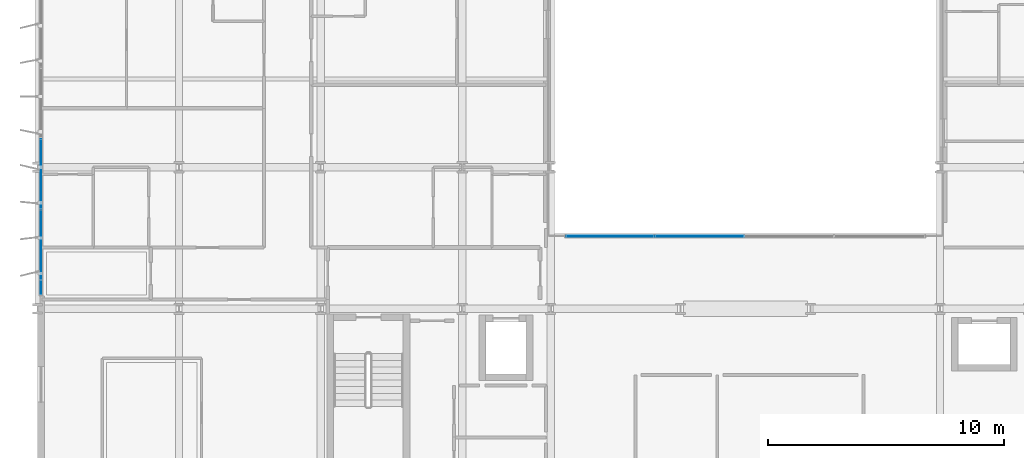
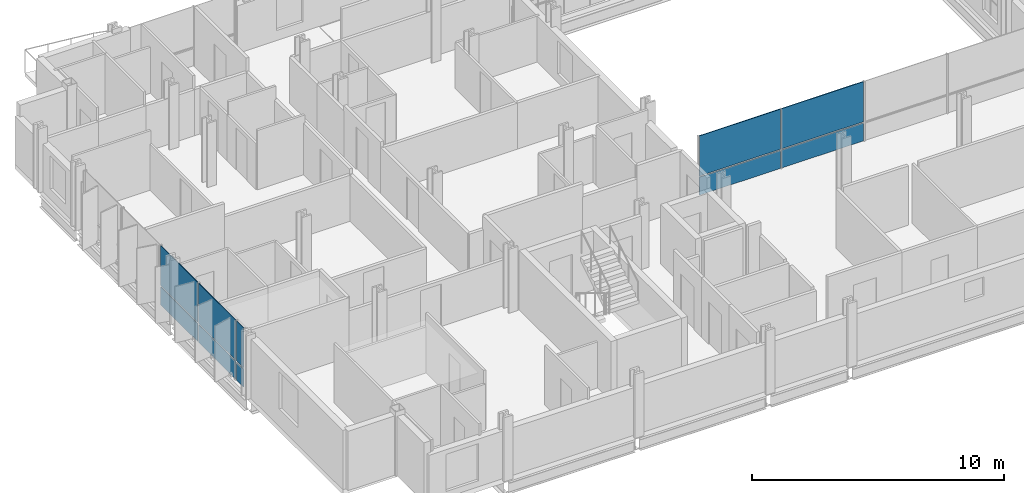
# One storey, part 22 of 38: 10 plates, 2 elements without a shape of their own.
"""IFC4 building model written with IfcOpenShell, lengths in metres."""

from ifc_helpers import new_model, si_unit, direction, frame, origin, origin_2d, place, context, subcontext, project, spatial, rectangle, extrude, material, layer, layer_set, type_object, element, aggregate, save


model = new_model("IFC4")

# Units and contexts
model_context = context("Model", 3, precision=1e-05, world=origin(), true_north=direction((0.0, 1.0)))
body_context = subcontext(model_context, "Body", "Model", "MODEL_VIEW")
ifc_project = project(units=[si_unit("LENGTHUNIT", "METRE"), si_unit("AREAUNIT", "SQUARE_METRE"), si_unit("VOLUMEUNIT", "CUBIC_METRE"), si_unit("PLANEANGLEUNIT", "RADIAN"), si_unit("MASSUNIT", "GRAM", prefix="KILO")], contexts=[model_context])

# Site, building, storey
site_placement = place(None, origin())
site = spatial("IfcSite", under=ifc_project, at=site_placement, CompositionType="ELEMENT")
building_placement = place(site_placement, origin())
building = spatial("IfcBuilding", under=site, at=building_placement, Name="Brevholm Reach", CompositionType="ELEMENT")
storey_placement = place(building_placement, frame((0.0, 0.0, 52.800048828125)))
storey = spatial("IfcBuildingStorey", under=building, at=storey_placement, Name="L14", CompositionType="ELEMENT", Elevation=52.800048828125)

# Curtain wall, plates
ifc_material_1 = material(Name="Dark Anodised Aluminium 6063-T6 and Solar-Control Glass", Category="aluminium")
ifc_layer_1 = layer(ifc_material_1, 0.14990234375)
ifc_layer_set_1 = layer_set([ifc_layer_1], Name="Dark Anodised Aluminium 6063-T6 and Solar-Control Glass")
curtain_wall_type_1 = type_object("IfcCurtainWallType", Name="CW-01", PredefinedType="NOTDEFINED", material=ifc_layer_set_1)
curtain_wall_1_placement = place(storey_placement, origin())
curtain_wall_1 = element("IfcCurtainWall", 1, at=curtain_wall_1_placement, inside=storey, type_object=curtain_wall_type_1, Name="L14 Curtain Wall CW-01", PredefinedType="NOTDEFINED")
ifc_material_2 = material(Name="Dark Solar-Control Double-Glazed IGU Glass", Category="glass")
ifc_layer_2 = layer(ifc_material_2, 0.028076171875)
ifc_layer_set_2 = layer_set([ifc_layer_2], Name="Dark Solar-Control Double-Glazed IGU Glass")
plate_type_1 = type_object("IfcPlateType", Name="CWP-GLZ-28", PredefinedType="CURTAIN_PANEL", material=ifc_layer_set_2)
plate_1_placement = place(storey_placement, frame((0.14990234375, 15.719970703125, 0.0), z_axis=(0.0, 0.0, 1.0), x_axis=(0.0, -1.0, 0.0)))
plate_1 = element("IfcPlate", 2, at=plate_1_placement, type_object=plate_type_1, Name="CP-01 Glazing Panel 3.1", PredefinedType="CURTAIN_PANEL", context=body_context, shape_type="SweptSolid", body=[
    extrude(rectangle(XDim=2.93505859375, YDim=0.028076171875, at=origin_2d()), origin(), (0.0, 0.0, 1.0), 0.867431640625),
])
plate_2_placement = place(storey_placement, frame((0.14990234375, 15.719970703125, 0.932373046875), z_axis=(0.0, 0.0, 1.0), x_axis=(0.0, -1.0, 0.0)))
plate_2 = element("IfcPlate", 3, at=plate_2_placement, type_object=plate_type_1, Name="CP-01 Glazing Panel 3.2", PredefinedType="CURTAIN_PANEL", context=body_context, shape_type="SweptSolid", body=[
    extrude(rectangle(XDim=2.93505859375, YDim=0.028076171875, at=origin_2d()), origin(), (0.0, 0.0, 1.0), 1.9375),
])
plate_3_placement = place(storey_placement, frame((0.14990234375, 12.719970703125, 0.0), z_axis=(0.0, 0.0, 1.0), x_axis=(0.0, -1.0, 0.0)))
plate_3 = element("IfcPlate", 4, at=plate_3_placement, type_object=plate_type_1, Name="CP-01 Glazing Panel 4.1", PredefinedType="CURTAIN_PANEL", context=body_context, shape_type="SweptSolid", body=[
    extrude(rectangle(XDim=2.93505859375, YDim=0.028076171875, at=origin_2d()), origin(), (0.0, 0.0, 1.0), 0.867431640625),
])
plate_4_placement = place(storey_placement, frame((0.14990234375, 12.719970703125, 0.932373046875), z_axis=(0.0, 0.0, 1.0), x_axis=(0.0, -1.0, 0.0)))
plate_4 = element("IfcPlate", 5, at=plate_4_placement, type_object=plate_type_1, Name="CP-01 Glazing Panel 4.2", PredefinedType="CURTAIN_PANEL", context=body_context, shape_type="SweptSolid", body=[
    extrude(rectangle(XDim=2.93505859375, YDim=0.028076171875, at=origin_2d()), origin(), (0.0, 0.0, 1.0), 1.9375),
])
plate_5_placement = place(storey_placement, frame((0.14990234375, 10.9013671875, 0.0), z_axis=(0.0, 0.0, 1.0), x_axis=(0.0, -1.0, 0.0)))
plate_5 = element("IfcPlate", 6, at=plate_5_placement, type_object=plate_type_1, Name="CP-01 Glazing Panel 5.1", PredefinedType="CURTAIN_PANEL", context=body_context, shape_type="SweptSolid", body=[
    extrude(rectangle(XDim=0.572509765625, YDim=0.028076171875, at=origin_2d()), origin(), (0.0, 0.0, 1.0), 0.867431640625),
])
plate_6_placement = place(storey_placement, frame((0.14990234375, 10.9013671875, 0.932373046875), z_axis=(0.0, 0.0, 1.0), x_axis=(0.0, -1.0, 0.0)))
plate_6 = element("IfcPlate", 7, at=plate_6_placement, type_object=plate_type_1, Name="CP-01 Glazing Panel 5.2", PredefinedType="CURTAIN_PANEL", context=body_context, shape_type="SweptSolid", body=[
    extrude(rectangle(XDim=0.572509765625, YDim=0.028076171875, at=origin_2d()), origin(), (0.0, 0.0, 1.0), 1.9375),
])
aggregate(curtain_wall_1, [plate_1, plate_2, plate_3, plate_4, plate_5, plate_6])

ifc_material_3 = material(Name="Dark Anodised Aluminium 6063-T6 and Solar-Control Glass", Category="aluminium")
ifc_layer_3 = layer(ifc_material_3, 0.139892578125)
ifc_layer_set_3 = layer_set([ifc_layer_3], Name="Dark Anodised Aluminium 6063-T6 and Solar-Control Glass")
curtain_wall_type_2 = type_object("IfcCurtainWallType", Name="CW-02", PredefinedType="NOTDEFINED", material=ifc_layer_set_3)
curtain_wall_2_placement = place(storey_placement, origin())
curtain_wall_2 = element("IfcCurtainWall", 8, at=curtain_wall_2_placement, inside=storey, type_object=curtain_wall_type_2, Name="L14 Curtain Wall CW-02", PredefinedType="NOTDEFINED")
ifc_material_4 = material(Name="Low-Iron Laminated Acoustic Glass", Category="glass")
ifc_layer_4 = layer(ifc_material_4, 0.035888671875)
ifc_layer_set_4 = layer_set([ifc_layer_4], Name="Low-Iron Laminated Acoustic Glass")
plate_type_2 = type_object("IfcPlateType", Name="CWP-GLZ-36", PredefinedType="CURTAIN_PANEL", material=ifc_layer_set_4)
plate_7_placement = place(storey_placement, frame((24.264892578125, 13.080078125, 0.0), z_axis=(0.0, 0.0, 1.0), x_axis=(1.0, 0.0, 0.0)))
plate_7 = element("IfcPlate", 9, at=plate_7_placement, type_object=plate_type_2, Name="CP-02 Glazing Panel 1.1", PredefinedType="CURTAIN_PANEL", context=body_context, shape_type="SweptSolid", body=[
    extrude(rectangle(XDim=3.7099609375, YDim=0.035888671875, at=origin_2d()), origin(), (0.0, 0.0, 1.0), 0.8701171875),
])
plate_8_placement = place(storey_placement, frame((24.264892578125, 13.080078125, 0.929931640625), z_axis=(0.0, 0.0, 1.0), x_axis=(1.0, 0.0, 0.0)))
plate_8 = element("IfcPlate", 10, at=plate_8_placement, type_object=plate_type_2, Name="CP-02 Glazing Panel 1.2", PredefinedType="CURTAIN_PANEL", context=body_context, shape_type="SweptSolid", body=[
    extrude(rectangle(XDim=3.7099609375, YDim=0.035888671875, at=origin_2d()), origin(), (0.0, 0.0, 1.0), 1.93994140625),
])
plate_9_placement = place(storey_placement, frame((28.050048828125, 13.080078125, 0.0), z_axis=(0.0, 0.0, 1.0), x_axis=(1.0, 0.0, 0.0)))
plate_9 = element("IfcPlate", 11, at=plate_9_placement, type_object=plate_type_2, Name="CP-02 Glazing Panel 2.1", PredefinedType="CURTAIN_PANEL", context=body_context, shape_type="SweptSolid", body=[
    extrude(rectangle(XDim=3.739990234375, YDim=0.035888671875, at=origin_2d()), origin(), (0.0, 0.0, 1.0), 0.8701171875),
])
plate_10_placement = place(storey_placement, frame((28.050048828125, 13.080078125, 0.929931640625), z_axis=(0.0, 0.0, 1.0), x_axis=(1.0, 0.0, 0.0)))
plate_10 = element("IfcPlate", 12, at=plate_10_placement, type_object=plate_type_2, Name="CP-02 Glazing Panel 2.2", PredefinedType="CURTAIN_PANEL", context=body_context, shape_type="SweptSolid", body=[
    extrude(rectangle(XDim=3.739990234375, YDim=0.035888671875, at=origin_2d()), origin(), (0.0, 0.0, 1.0), 1.93994140625),
])
aggregate(curtain_wall_2, [plate_7, plate_8, plate_9, plate_10])

save(model, "model.ifc")
